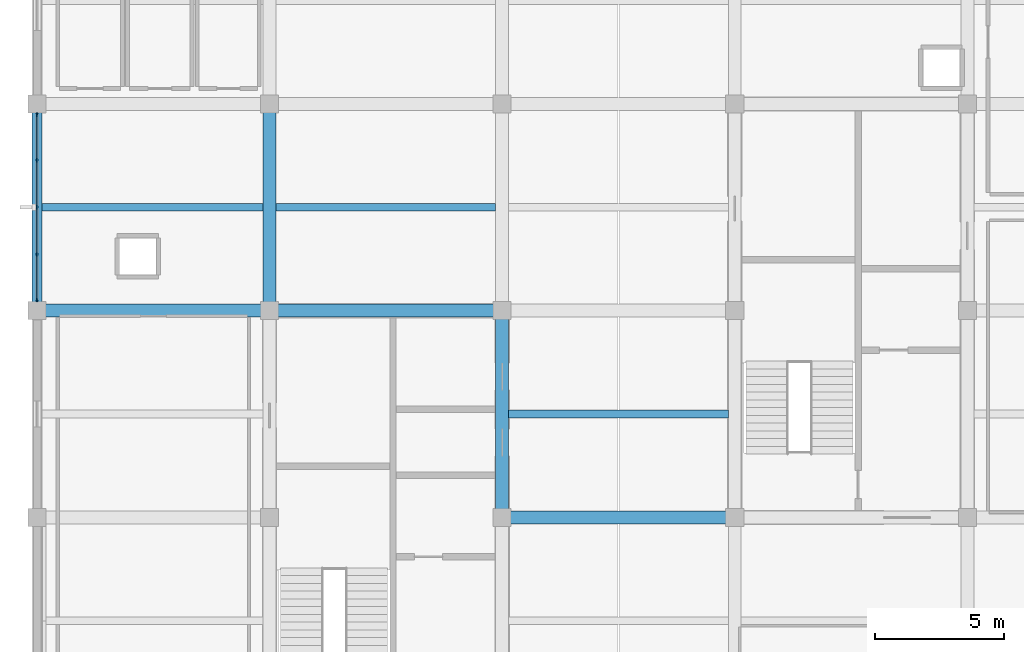
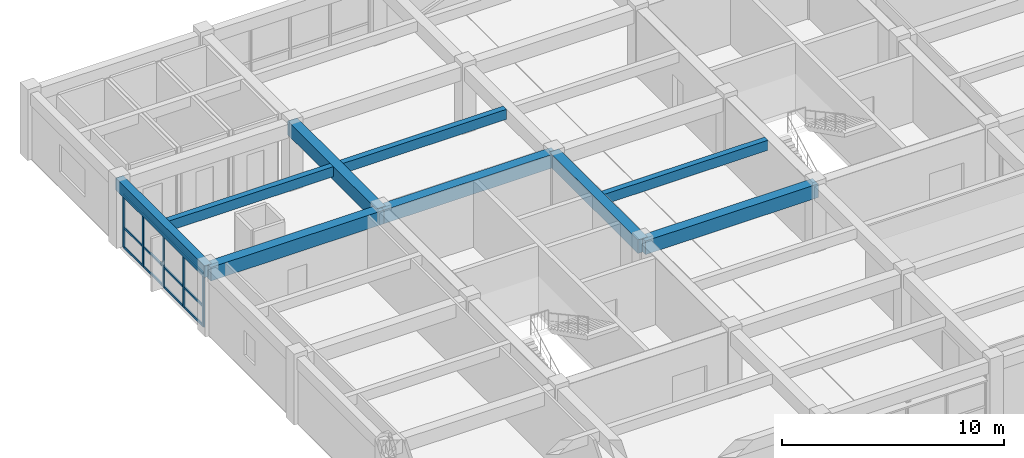
# One storey, part 4 of 13: 9 beams, 8 members, 1 element without a shape of its own.
"""IFC4 building model written with IfcOpenShell, lengths in metres."""

from ifc_helpers import new_model, si_unit, direction, frame, origin, origin_2d, place, context, subcontext, project, spatial, rectangle, extrude, material, material_profile, profile_set, type_object, element, aggregate, save


model = new_model("IFC4")

# Units and contexts
model_context = context("Model", 3, precision=1e-05, world=origin(), true_north=direction((0.0, 1.0)))
body_context = subcontext(model_context, "Body", "Model", "MODEL_VIEW")
ifc_project = project(units=[si_unit("LENGTHUNIT", "METRE"), si_unit("AREAUNIT", "SQUARE_METRE"), si_unit("VOLUMEUNIT", "CUBIC_METRE"), si_unit("PLANEANGLEUNIT", "RADIAN"), si_unit("MASSUNIT", "GRAM", prefix="KILO")], contexts=[model_context])

# Site, building, storey
site_placement = place(None, origin())
site = spatial("IfcSite", under=ifc_project, at=site_placement, CompositionType="ELEMENT")
building_placement = place(site_placement, origin())
building = spatial("IfcBuilding", under=site, at=building_placement, Name="Zaverband Oceanarium and Marine Research Institute", CompositionType="ELEMENT")
storey_placement = place(building_placement, frame((0.0, 0.0, 64.800048828125)))
storey = spatial("IfcBuildingStorey", under=building, at=storey_placement, Name="L16", CompositionType="ELEMENT", Elevation=64.800048828125)

# Beams
ifc_material_1 = material(Name="Concrete C40/50", Category="concrete")
ifc_material_profile_1 = material_profile(ifc_material_1, rectangle(XDim=0.5, YDim=0.75, at=origin_2d()), Name="RC500x750")
ifc_profile_set_1 = profile_set([ifc_material_profile_1], Name="Concrete C40/50")
beam_type_1 = type_object("IfcBeamType", Name="BM-500x750", PredefinedType="BEAM", material=ifc_profile_set_1)
for number, where, z_axis, x_axis, name in (
    (1, (27.0, 88.0, 3.27490234375), (1.0, 0.0, 0.0), (0.0, 1.0, 0.0), "Primary floor girder BM-500x750"),
    (2, (9.0, 96.0, 3.27490234375), (1.0, 0.0, 0.0), (0.0, 1.0, 0.0), "Primary floor girder BM-500x750"),
    (3, (18.0, 96.0, 3.27490234375), (1.0, 0.0, 0.0), (0.0, 1.0, 0.0), "Primary floor girder BM-500x750"),
):
    element("IfcBeam", number, at=place(storey_placement, frame(where, z_axis=z_axis, x_axis=x_axis)), inside=storey, type_object=beam_type_1, Name=name, PredefinedType="BEAM", context=body_context, shape_type="SweptSolid", body=[
        extrude(rectangle(XDim=0.5, YDim=0.75, at=origin_2d()), origin(), (0.0, 0.0, 1.0), 9.0),
    ])
for number, where, z_axis, x_axis, name in (
    (4, (18.0, 96.0, 3.27490234375), (0.0, 1.0, 0.0), (-1.0, 0.0, 0.0), "Primary floor girder BM-500x750"),
    (5, (27.0, 88.0, 3.27490234375), (0.0, 1.0, 0.0), (-1.0, 0.0, 0.0), "Primary floor girder BM-500x750"),
):
    element("IfcBeam", number, at=place(storey_placement, frame(where, z_axis=z_axis, x_axis=x_axis)), inside=storey, type_object=beam_type_1, Name=name, PredefinedType="BEAM", context=body_context, shape_type="SweptSolid", body=[
        extrude(rectangle(XDim=0.5, YDim=0.75, at=origin_2d()), origin(), (0.0, 0.0, 1.0), 8.0),
    ])
ifc_material_profile_2 = material_profile(ifc_material_1, rectangle(XDim=0.300048828125, YDim=0.550048828125, at=origin_2d()), Name="RC300x550")
ifc_profile_set_2 = profile_set([ifc_material_profile_2], Name="Concrete C40/50")
beam_type_2 = type_object("IfcBeamType", Name="JST-300x550", PredefinedType="JOIST", material=ifc_profile_set_2)
beam_1_placement = place(storey_placement, frame((9.199951171875, 100.0, 3.375), z_axis=(1.0, 0.0, 0.0), x_axis=(0.0, 1.0, 0.0)))
element("IfcBeam", 6, at=beam_1_placement, inside=storey, type_object=beam_type_2, Name="Secondary floor joist JST-300x550", PredefinedType="JOIST", context=body_context, shape_type="SweptSolid", body=[
    extrude(rectangle(XDim=0.300048828125, YDim=0.550048828125, at=origin_2d()), origin(), (0.0, 0.0, 1.0), 8.550048828125),
])
for number, where, z_axis, x_axis, name in (
    (7, (18.25, 100.0, 3.375), (1.0, 0.0, 0.0), (0.0, 1.0, 0.0), "Secondary floor joist JST-300x550"),
    (8, (27.25, 92.0, 3.375), (1.0, 0.0, 0.0), (0.0, 1.0, 0.0), "Secondary floor joist JST-300x550"),
):
    element("IfcBeam", number, at=place(storey_placement, frame(where, z_axis=z_axis, x_axis=x_axis)), inside=storey, type_object=beam_type_2, Name=name, PredefinedType="JOIST", context=body_context, shape_type="SweptSolid", body=[
        extrude(rectangle(XDim=0.300048828125, YDim=0.550048828125, at=origin_2d()), origin(), (0.0, 0.0, 1.0), 8.5),
    ])

# Curtain wall, members
ifc_material_2 = material(Name="Thermally broken anodized aluminium and solar-control glass", Category="aluminium")
curtain_wall_type = type_object("IfcCurtainWallType", Name="CW-UNIT-1800", PredefinedType="NOTDEFINED", material=ifc_material_2)
curtain_wall_placement = place(storey_placement, origin())
curtain_wall = element("IfcCurtainWall", 9, at=curtain_wall_placement, inside=storey, type_object=curtain_wall_type, Name="Unitised glazed curtain wall CW-172", PredefinedType="NOTDEFINED")
ifc_material_3 = material(Name="Thermally broken anodized aluminium", Category="aluminium")
ifc_material_profile_3 = material_profile(ifc_material_3, rectangle(XDim=0.070068359375, YDim=0.14990234375, at=origin_2d()), Name="AL-MUL-70x150")
ifc_profile_set_3 = profile_set([ifc_material_profile_3], Name="Thermally broken anodized aluminium")
member_type_1 = type_object("IfcMemberType", Name="MUL-70x150", PredefinedType="MULLION", material=ifc_profile_set_3)
member_1_placement = place(storey_placement, frame((9.0, 96.4150390625, 0.0), z_axis=(0.0, 0.0, 1.0), x_axis=(1.0, 0.0, 0.0)))
member_1 = element("IfcMember", 10, at=member_1_placement, type_object=member_type_1, Name="Curtain wall vertical mullion MUL-70x150", PredefinedType="MULLION", context=body_context, shape_type="SweptSolid", body=[
    extrude(rectangle(XDim=0.070068359375, YDim=0.14990234375, at=origin_2d()), origin(), (0.0, 0.0, 1.0), 2.97998046875),
])
member_2_placement = place(storey_placement, frame((9.0, 98.177490234375, 0.0), z_axis=(0.0, 0.0, 1.0), x_axis=(1.0, 0.0, 0.0)))
member_2 = element("IfcMember", 11, at=member_2_placement, type_object=member_type_1, Name="Curtain wall vertical mullion MUL-70x150", PredefinedType="MULLION", context=body_context, shape_type="SweptSolid", body=[
    extrude(rectangle(XDim=0.070068359375, YDim=0.14990234375, at=origin_2d()), origin(), (0.0, 0.0, 1.0), 2.97998046875),
])
member_3_placement = place(storey_placement, frame((9.0, 100.0, 0.0), z_axis=(0.0, 0.0, 1.0), x_axis=(1.0, 0.0, 0.0)))
member_3 = element("IfcMember", 12, at=member_3_placement, type_object=member_type_1, Name="Curtain wall vertical mullion MUL-70x150", PredefinedType="MULLION", context=body_context, shape_type="SweptSolid", body=[
    extrude(rectangle(XDim=0.070068359375, YDim=0.14990234375, at=origin_2d()), origin(), (0.0, 0.0, 1.0), 2.97998046875),
])
member_4_placement = place(storey_placement, frame((9.0, 101.822509765625, 0.0), z_axis=(0.0, 0.0, 1.0), x_axis=(1.0, 0.0, 0.0)))
member_4 = element("IfcMember", 13, at=member_4_placement, type_object=member_type_1, Name="Curtain wall vertical mullion MUL-70x150", PredefinedType="MULLION", context=body_context, shape_type="SweptSolid", body=[
    extrude(rectangle(XDim=0.070068359375, YDim=0.14990234375, at=origin_2d()), origin(), (0.0, 0.0, 1.0), 2.97998046875),
])
member_5_placement = place(storey_placement, frame((9.0, 103.5849609375, 0.0), z_axis=(0.0, 0.0, 1.0), x_axis=(1.0, 0.0, 0.0)))
member_5 = element("IfcMember", 14, at=member_5_placement, type_object=member_type_1, Name="Curtain wall vertical mullion MUL-70x150", PredefinedType="MULLION", context=body_context, shape_type="SweptSolid", body=[
    extrude(rectangle(XDim=0.070068359375, YDim=0.14990234375, at=origin_2d()), origin(), (0.0, 0.0, 1.0), 2.97998046875),
])

# Beam
ifc_material_profile_4 = material_profile(ifc_material_1, rectangle(XDim=0.39990234375, YDim=0.64990234375, at=origin_2d()), Name="RC400x650")
ifc_profile_set_4 = profile_set([ifc_material_profile_4], Name="Concrete C40/50")
beam_type_3 = type_object("IfcBeamType", Name="SPN-400x650", PredefinedType="SPANDREL", material=ifc_profile_set_4)
beam_2_placement = place(storey_placement, frame((9.0, 96.0, 3.324951171875), z_axis=(0.0, 1.0, 0.0), x_axis=(-1.0, 0.0, 0.0)))
element("IfcBeam", 15, at=beam_2_placement, inside=storey, type_object=beam_type_3, Name="Perimeter spandrel beam SPN-400x650", PredefinedType="SPANDREL", context=body_context, shape_type="SweptSolid", body=[
    extrude(rectangle(XDim=0.39990234375, YDim=0.64990234375, at=origin_2d()), origin(), (0.0, 0.0, 1.0), 8.0),
])

# Member
ifc_material_profile_5 = material_profile(ifc_material_3, rectangle(XDim=0.070068359375, YDim=0.114990234375, at=origin_2d()), Name="AL-TRN-70x115")
ifc_profile_set_5 = profile_set([ifc_material_profile_5], Name="Thermally broken anodized aluminium")
member_type_2 = type_object("IfcMemberType", Name="TRN-70x115", PredefinedType="USERDEFINED", material=ifc_profile_set_5)
member_6_placement = place(storey_placement, frame((9.0, 96.4150390625, 0.050048828125), z_axis=(0.0, 1.0, 0.0), x_axis=(-1.0, 0.0, 0.0)))
member_6 = element("IfcMember", 16, at=member_6_placement, type_object=member_type_2, Name="Curtain wall horizontal transom TRN-70x115", ObjectType="TRANSOM", PredefinedType="USERDEFINED", context=body_context, shape_type="SweptSolid", body=[
    extrude(rectangle(XDim=0.070068359375, YDim=0.114990234375, at=origin_2d()), origin(), (0.0, 0.0, 1.0), 7.169921875),
])

member_7_placement = place(storey_placement, frame((9.0, 96.4150390625, 1.123046875), z_axis=(0.0, 1.0, 0.0), x_axis=(-1.0, 0.0, 0.0)))
member_7 = element("IfcMember", 17, at=member_7_placement, type_object=member_type_2, Name="Curtain wall horizontal transom TRN-70x115", ObjectType="TRANSOM", PredefinedType="USERDEFINED", context=body_context, shape_type="SweptSolid", body=[
    extrude(rectangle(XDim=0.070068359375, YDim=0.114990234375, at=origin_2d()), origin(), (0.0, 0.0, 1.0), 7.169921875),
])

member_8_placement = place(storey_placement, frame((9.0, 96.4150390625, 2.929931640625), z_axis=(0.0, 1.0, 0.0), x_axis=(-1.0, 0.0, 0.0)))
member_8 = element("IfcMember", 18, at=member_8_placement, type_object=member_type_2, Name="Curtain wall horizontal transom TRN-70x115", ObjectType="TRANSOM", PredefinedType="USERDEFINED", context=body_context, shape_type="SweptSolid", body=[
    extrude(rectangle(XDim=0.070068359375, YDim=0.114990234375, at=origin_2d()), origin(), (0.0, 0.0, 1.0), 7.169921875),
])

aggregate(curtain_wall, [member_1, member_2, member_3, member_4, member_5, member_6, member_7, member_8])

save(model, "model.ifc")
